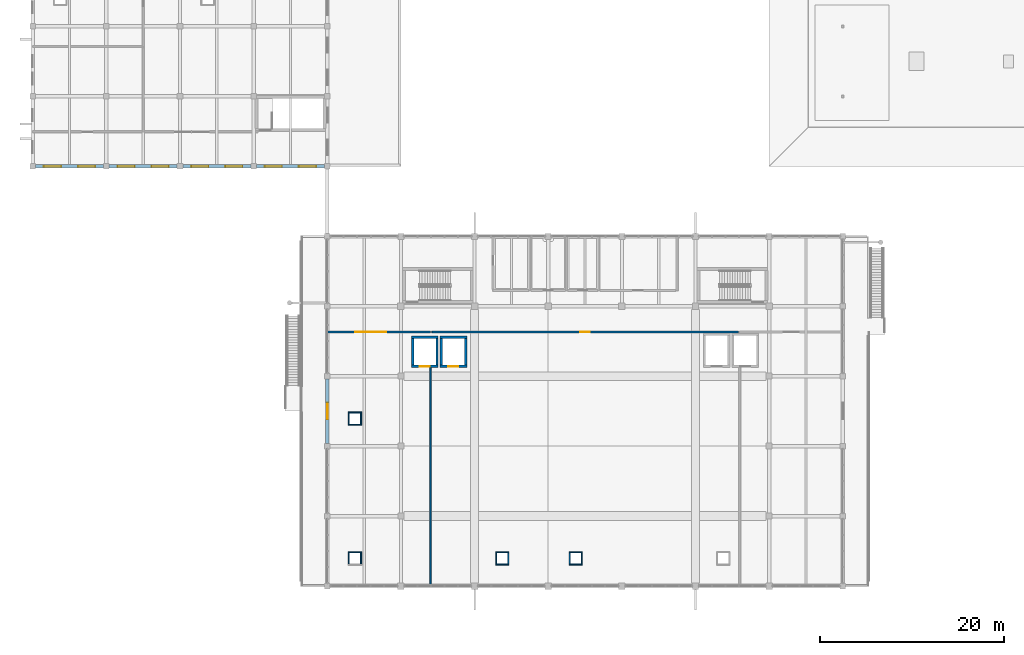
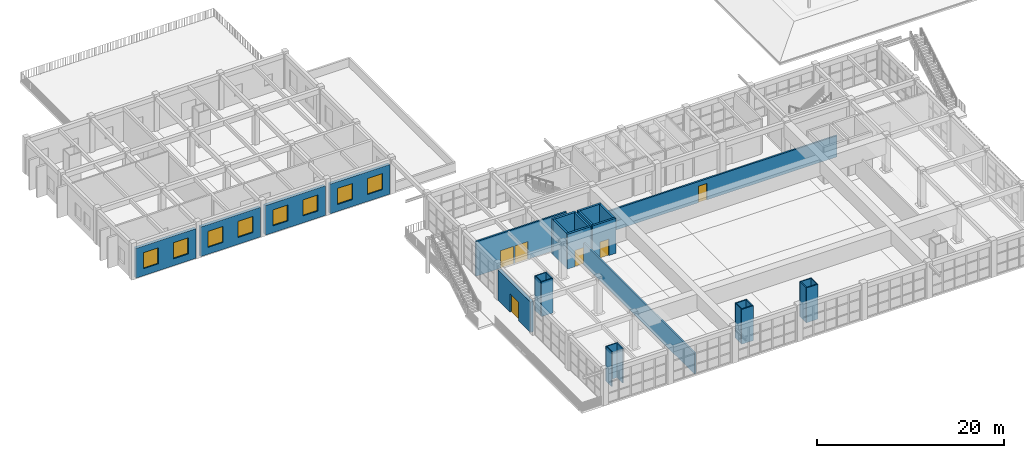
# One storey, part 36 of 50: 31 walls, 8 windows, 6 doors, 14 openings.
"""IFC4 building model written with IfcOpenShell, lengths in metres."""

from ifc_helpers import new_model, si_unit, direction, frame, frame_2d, origin, place, context, subcontext, project, spatial, rectangle, extrude, material, layer, layer_set, type_object, element, fill, save


model = new_model("IFC4")

# Units and contexts
model_context = context("Model", 3, precision=1e-05, world=origin(), true_north=direction((0.0, 1.0)))
body_context = subcontext(model_context, "Body", "Model", "MODEL_VIEW")
ifc_project = project(units=[si_unit("LENGTHUNIT", "METRE"), si_unit("AREAUNIT", "SQUARE_METRE"), si_unit("VOLUMEUNIT", "CUBIC_METRE"), si_unit("PLANEANGLEUNIT", "RADIAN"), si_unit("MASSUNIT", "GRAM", prefix="KILO")], contexts=[model_context])

# Site, building, storey
site_placement = place(None, origin())
site = spatial("IfcSite", under=ifc_project, at=site_placement, CompositionType="ELEMENT")
building_placement = place(site_placement, origin())
building = spatial("IfcBuilding", under=site, at=building_placement, Name="Zantavel Square City Hall", CompositionType="ELEMENT")
storey_placement = place(building_placement, frame((0.0, 0.0, 18.89990234375)))
storey = spatial("IfcBuildingStorey", under=building, at=storey_placement, Name="L05", CompositionType="ELEMENT", Elevation=18.89990234375)

# Wall
ifc_material_1 = material(Name="Gypsum acoustic stud assembly", Category="masonry")
ifc_layer_1 = layer(ifc_material_1, 0.179931640625, Name="Gypsum acoustic stud assembly")
ifc_layer_set_1 = layer_set([ifc_layer_1], Name="Gypsum acoustic stud assembly")
wall_type_1 = type_object("IfcWallType", Name="Council Acoustic Partition 180mm", PredefinedType="PARTITIONING", material=ifc_layer_set_1)
wall_1_placement = place(storey_placement, frame((67.199951171875, 54.1201171875, 0.0), z_axis=(0.0, 0.0, 1.0), x_axis=(0.0, -1.0, 0.0)))
element("IfcWall", 1, at=wall_1_placement, inside=storey, type_object=wall_type_1, Name="L05 Interior Wall IW-L05-0338", PredefinedType="PARTITIONING", context=body_context, shape_type="SweptSolid", body=[
    extrude(rectangle(XDim=23.72021484375, YDim=0.179931640625, at=frame_2d((11.860107421875, 0.0))), origin(), (0.0, 0.0, 1.0), 2.77001953125),
])

# Wall, openings, windows
ifc_material_2 = material(Name="Cantera volcanic tuff stone", Category="masonry")
ifc_layer_2 = layer(ifc_material_2, 0.360107421875, Name="Cantera volcanic tuff stone")
ifc_layer_set_2 = layer_set([ifc_layer_2], Name="Cantera volcanic tuff stone")
wall_type_2 = type_object("IfcWallType", Name="Courtyard Cantera Facade Wall 360mm", PredefinedType="STANDARD", material=ifc_layer_set_2)
wall_2_placement = place(storey_placement, frame((55.699951171875, 76.0, 0.0), z_axis=(0.0, 0.0, 1.0), x_axis=(-1.0, 0.0, 0.0)))
wall_2 = element("IfcWall", 2, at=wall_2_placement, inside=storey, type_object=wall_type_2, Name="L05 Exterior Wall EW-L05-030", PredefinedType="STANDARD", context=body_context, shape_type="SweptSolid", body=[
    extrude(rectangle(XDim=7.39990234375, YDim=0.360107421875, at=frame_2d((3.699951171875, 0.0))), origin(), (0.0, 0.0, 1.0), 3.8701171875),
])
opening_1_placement = place(wall_2_placement, frame((0.925048828125, 0.0, 0.89990234375)))
opening_1 = element("IfcOpeningElement", 3, at=opening_1_placement, cuts=wall_2, Name="Opening W-514", PredefinedType="OPENING", context=body_context, shape_type="SweptSolid", body=[
    extrude(rectangle(XDim=1.85009765625, YDim=2.10009765625, at=frame_2d((0.925048828125, 1.050048828125))), frame((0.0, 0.18994140625, 0.0), z_axis=(0.0, -1.0, 0.0), x_axis=(1.0, 0.0, 0.0)), (0.0, 0.0, 1.0), 0.380126953125),
])
opening_2_placement = place(wall_2_placement, frame((4.625, 0.0, 0.89990234375)))
opening_2 = element("IfcOpeningElement", 4, at=opening_2_placement, cuts=wall_2, Name="Opening W-515", PredefinedType="OPENING", context=body_context, shape_type="SweptSolid", body=[
    extrude(rectangle(XDim=1.85009765625, YDim=2.10009765625, at=frame_2d((0.925048828125, 1.050048828125))), frame((0.0, 0.18994140625, 0.0), z_axis=(0.0, -1.0, 0.0), x_axis=(1.0, 0.0, 0.0)), (0.0, 0.0, 1.0), 0.380126953125),
])
ifc_material_3 = material(Name="Tempered safety glass low-E double glazing", Category="glass")
window_type = type_object("IfcWindowType", Name="Window Dining Hall Panoramic 1850x2100", PartitioningType="TRIPLE_PANEL_VERTICAL", PredefinedType="WINDOW", material=ifc_material_3)
window_1_placement = place(opening_1_placement, origin())
window_1 = element("IfcWindow", 5, at=window_1_placement, inside=storey, type_object=window_type, Name="L05 Window W-514", OverallHeight=2.10009765625, OverallWidth=1.85009765625, PartitioningType="TRIPLE_PANEL_VERTICAL", PredefinedType="WINDOW", context=body_context, shape_type="SweptSolid", body=[
    extrude(rectangle(XDim=1.85009765625, YDim=2.10009765625, at=frame_2d((0.925048828125, 1.050048828125))), frame((0.0, 0.030029296875, 0.0), z_axis=(0.0, -1.0, 0.0), x_axis=(1.0, 0.0, 0.0)), (0.0, 0.0, 1.0), 0.06005859375),
])
fill(opening_1, window_1)
window_2_placement = place(opening_2_placement, origin())
window_2 = element("IfcWindow", 6, at=window_2_placement, inside=storey, type_object=window_type, Name="L05 Window W-515", OverallHeight=2.10009765625, OverallWidth=1.85009765625, PartitioningType="TRIPLE_PANEL_VERTICAL", PredefinedType="WINDOW", context=body_context, shape_type="SweptSolid", body=[
    extrude(rectangle(XDim=1.85009765625, YDim=2.10009765625, at=frame_2d((0.925048828125, 1.050048828125))), frame((0.0, 0.030029296875, 0.0), z_axis=(0.0, -1.0, 0.0), x_axis=(1.0, 0.0, 0.0)), (0.0, 0.0, 1.0), 0.06005859375),
])
fill(opening_2, window_2)

wall_3_placement = place(storey_placement, frame((47.699951171875, 76.0, 0.0), z_axis=(0.0, 0.0, 1.0), x_axis=(-1.0, 0.0, 0.0)))
wall_3 = element("IfcWall", 7, at=wall_3_placement, inside=storey, type_object=wall_type_2, Name="L05 Exterior Wall EW-L05-031", PredefinedType="STANDARD", context=body_context, shape_type="SweptSolid", body=[
    extrude(rectangle(XDim=7.39990234375, YDim=0.360107421875, at=frame_2d((3.699951171875, 0.0))), origin(), (0.0, 0.0, 1.0), 3.8701171875),
])
opening_3_placement = place(wall_3_placement, frame((0.925048828125, 0.0, 0.89990234375)))
opening_3 = element("IfcOpeningElement", 8, at=opening_3_placement, cuts=wall_3, Name="Opening W-516", PredefinedType="OPENING", context=body_context, shape_type="SweptSolid", body=[
    extrude(rectangle(XDim=1.85009765625, YDim=2.10009765625, at=frame_2d((0.925048828125, 1.050048828125))), frame((0.0, 0.18994140625, 0.0), z_axis=(0.0, -1.0, 0.0), x_axis=(1.0, 0.0, 0.0)), (0.0, 0.0, 1.0), 0.380126953125),
])
opening_4_placement = place(wall_3_placement, frame((4.625, 0.0, 0.89990234375)))
opening_4 = element("IfcOpeningElement", 9, at=opening_4_placement, cuts=wall_3, Name="Opening W-517", PredefinedType="OPENING", context=body_context, shape_type="SweptSolid", body=[
    extrude(rectangle(XDim=1.85009765625, YDim=2.10009765625, at=frame_2d((0.925048828125, 1.050048828125))), frame((0.0, 0.18994140625, 0.0), z_axis=(0.0, -1.0, 0.0), x_axis=(1.0, 0.0, 0.0)), (0.0, 0.0, 1.0), 0.380126953125),
])
window_3_placement = place(opening_3_placement, origin())
window_3 = element("IfcWindow", 10, at=window_3_placement, inside=storey, type_object=window_type, Name="L05 Window W-516", OverallHeight=2.10009765625, OverallWidth=1.85009765625, PartitioningType="TRIPLE_PANEL_VERTICAL", PredefinedType="WINDOW", context=body_context, shape_type="SweptSolid", body=[
    extrude(rectangle(XDim=1.85009765625, YDim=2.10009765625, at=frame_2d((0.925048828125, 1.050048828125))), frame((0.0, 0.030029296875, 0.0), z_axis=(0.0, -1.0, 0.0), x_axis=(1.0, 0.0, 0.0)), (0.0, 0.0, 1.0), 0.06005859375),
])
fill(opening_3, window_3)
window_4_placement = place(opening_4_placement, origin())
window_4 = element("IfcWindow", 11, at=window_4_placement, inside=storey, type_object=window_type, Name="L05 Window W-517", OverallHeight=2.10009765625, OverallWidth=1.85009765625, PartitioningType="TRIPLE_PANEL_VERTICAL", PredefinedType="WINDOW", context=body_context, shape_type="SweptSolid", body=[
    extrude(rectangle(XDim=1.85009765625, YDim=2.10009765625, at=frame_2d((0.925048828125, 1.050048828125))), frame((0.0, 0.030029296875, 0.0), z_axis=(0.0, -1.0, 0.0), x_axis=(1.0, 0.0, 0.0)), (0.0, 0.0, 1.0), 0.06005859375),
])
fill(opening_4, window_4)

wall_4_placement = place(storey_placement, frame((39.699951171875, 76.0, 0.0), z_axis=(0.0, 0.0, 1.0), x_axis=(-1.0, 0.0, 0.0)))
wall_4 = element("IfcWall", 12, at=wall_4_placement, inside=storey, type_object=wall_type_2, Name="L05 Exterior Wall EW-L05-032", PredefinedType="STANDARD", context=body_context, shape_type="SweptSolid", body=[
    extrude(rectangle(XDim=7.39990234375, YDim=0.360107421875, at=frame_2d((3.699951171875, 0.0))), origin(), (0.0, 0.0, 1.0), 3.8701171875),
])
opening_5_placement = place(wall_4_placement, frame((0.925048828125, 0.0, 0.89990234375)))
opening_5 = element("IfcOpeningElement", 13, at=opening_5_placement, cuts=wall_4, Name="Opening W-518", PredefinedType="OPENING", context=body_context, shape_type="SweptSolid", body=[
    extrude(rectangle(XDim=1.85009765625, YDim=2.10009765625, at=frame_2d((0.925048828125, 1.050048828125))), frame((0.0, 0.18994140625, 0.0), z_axis=(0.0, -1.0, 0.0), x_axis=(1.0, 0.0, 0.0)), (0.0, 0.0, 1.0), 0.380126953125),
])
opening_6_placement = place(wall_4_placement, frame((4.625, 0.0, 0.89990234375)))
opening_6 = element("IfcOpeningElement", 14, at=opening_6_placement, cuts=wall_4, Name="Opening W-519", PredefinedType="OPENING", context=body_context, shape_type="SweptSolid", body=[
    extrude(rectangle(XDim=1.85009765625, YDim=2.10009765625, at=frame_2d((0.925048828125, 1.050048828125))), frame((0.0, 0.18994140625, 0.0), z_axis=(0.0, -1.0, 0.0), x_axis=(1.0, 0.0, 0.0)), (0.0, 0.0, 1.0), 0.380126953125),
])
window_5_placement = place(opening_5_placement, origin())
window_5 = element("IfcWindow", 15, at=window_5_placement, inside=storey, type_object=window_type, Name="L05 Window W-518", OverallHeight=2.10009765625, OverallWidth=1.85009765625, PartitioningType="TRIPLE_PANEL_VERTICAL", PredefinedType="WINDOW", context=body_context, shape_type="SweptSolid", body=[
    extrude(rectangle(XDim=1.85009765625, YDim=2.10009765625, at=frame_2d((0.925048828125, 1.050048828125))), frame((0.0, 0.030029296875, 0.0), z_axis=(0.0, -1.0, 0.0), x_axis=(1.0, 0.0, 0.0)), (0.0, 0.0, 1.0), 0.06005859375),
])
fill(opening_5, window_5)
window_6_placement = place(opening_6_placement, origin())
window_6 = element("IfcWindow", 16, at=window_6_placement, inside=storey, type_object=window_type, Name="L05 Window W-519", OverallHeight=2.10009765625, OverallWidth=1.85009765625, PartitioningType="TRIPLE_PANEL_VERTICAL", PredefinedType="WINDOW", context=body_context, shape_type="SweptSolid", body=[
    extrude(rectangle(XDim=1.85009765625, YDim=2.10009765625, at=frame_2d((0.925048828125, 1.050048828125))), frame((0.0, 0.030029296875, 0.0), z_axis=(0.0, -1.0, 0.0), x_axis=(1.0, 0.0, 0.0)), (0.0, 0.0, 1.0), 0.06005859375),
])
fill(opening_6, window_6)

wall_5_placement = place(storey_placement, frame((31.699951171875, 76.0, 0.0), z_axis=(0.0, 0.0, 1.0), x_axis=(-1.0, 0.0, 0.0)))
wall_5 = element("IfcWall", 17, at=wall_5_placement, inside=storey, type_object=wall_type_2, Name="L05 Exterior Wall EW-L05-033", PredefinedType="STANDARD", context=body_context, shape_type="SweptSolid", body=[
    extrude(rectangle(XDim=7.39990234375, YDim=0.360107421875, at=frame_2d((3.699951171875, 0.0))), origin(), (0.0, 0.0, 1.0), 3.8701171875),
])
opening_7_placement = place(wall_5_placement, frame((0.925048828125, 0.0, 0.89990234375)))
opening_7 = element("IfcOpeningElement", 18, at=opening_7_placement, cuts=wall_5, Name="Opening W-520", PredefinedType="OPENING", context=body_context, shape_type="SweptSolid", body=[
    extrude(rectangle(XDim=1.85009765625, YDim=2.10009765625, at=frame_2d((0.925048828125, 1.050048828125))), frame((0.0, 0.18994140625, 0.0), z_axis=(0.0, -1.0, 0.0), x_axis=(1.0, 0.0, 0.0)), (0.0, 0.0, 1.0), 0.380126953125),
])
opening_8_placement = place(wall_5_placement, frame((4.625, 0.0, 0.89990234375)))
opening_8 = element("IfcOpeningElement", 19, at=opening_8_placement, cuts=wall_5, Name="Opening W-521", PredefinedType="OPENING", context=body_context, shape_type="SweptSolid", body=[
    extrude(rectangle(XDim=1.85009765625, YDim=2.10009765625, at=frame_2d((0.925048828125, 1.050048828125))), frame((0.0, 0.18994140625, 0.0), z_axis=(0.0, -1.0, 0.0), x_axis=(1.0, 0.0, 0.0)), (0.0, 0.0, 1.0), 0.380126953125),
])
window_7_placement = place(opening_7_placement, origin())
window_7 = element("IfcWindow", 20, at=window_7_placement, inside=storey, type_object=window_type, Name="L05 Window W-520", OverallHeight=2.10009765625, OverallWidth=1.85009765625, PartitioningType="TRIPLE_PANEL_VERTICAL", PredefinedType="WINDOW", context=body_context, shape_type="SweptSolid", body=[
    extrude(rectangle(XDim=1.85009765625, YDim=2.10009765625, at=frame_2d((0.925048828125, 1.050048828125))), frame((0.0, 0.030029296875, 0.0), z_axis=(0.0, -1.0, 0.0), x_axis=(1.0, 0.0, 0.0)), (0.0, 0.0, 1.0), 0.06005859375),
])
fill(opening_7, window_7)
window_8_placement = place(opening_8_placement, origin())
window_8 = element("IfcWindow", 21, at=window_8_placement, inside=storey, type_object=window_type, Name="L05 Window W-521", OverallHeight=2.10009765625, OverallWidth=1.85009765625, PartitioningType="TRIPLE_PANEL_VERTICAL", PredefinedType="WINDOW", context=body_context, shape_type="SweptSolid", body=[
    extrude(rectangle(XDim=1.85009765625, YDim=2.10009765625, at=frame_2d((0.925048828125, 1.050048828125))), frame((0.0, 0.030029296875, 0.0), z_axis=(0.0, -1.0, 0.0), x_axis=(1.0, 0.0, 0.0)), (0.0, 0.0, 1.0), 0.06005859375),
])
fill(opening_8, window_8)

# Wall, openings, doors
ifc_layer_3 = layer(ifc_material_2, 0.199951171875, Name="Cantera volcanic tuff stone")
ifc_layer_set_3 = layer_set([ifc_layer_3], Name="Cantera volcanic tuff stone")
wall_type_3 = type_object("IfcWallType", Name="Exit Corridor Rated Wall 200mm", PredefinedType="STANDARD", material=ifc_layer_set_3)
wall_6_placement = place(storey_placement, frame((56.0, 58.0, 0.0), z_axis=(0.0, 0.0, 1.0), x_axis=(1.0, 0.0, 0.0)))
wall_6 = element("IfcWall", 22, at=wall_6_placement, inside=storey, type_object=wall_type_3, Name="L05 Interior Wall IW-L05-0339", PredefinedType="STANDARD", context=body_context, shape_type="SweptSolid", body=[
    extrude(rectangle(XDim=11.199951171875, YDim=0.199951171875, at=frame_2d((5.60009765625, 0.0))), origin(), (0.0, 0.0, 1.0), 4.52001953125),
])
opening_9_placement = place(wall_6_placement, frame((4.800048828125, 0.0, 0.0)))
opening_9 = element("IfcOpeningElement", 23, at=opening_9_placement, cuts=wall_6, Name="Opening D-0162", PredefinedType="OPENING", context=body_context, shape_type="SweptSolid", body=[
    extrude(rectangle(XDim=1.60009765625, YDim=2.300048828125, at=frame_2d((0.800048828125, 1.14990234375))), frame((0.0, 0.10986328125, 0.0), z_axis=(0.0, -1.0, 0.0), x_axis=(1.0, 0.0, 0.0)), (0.0, 0.0, 1.0), 0.219970703125),
])
opening_10_placement = place(wall_6_placement, frame((3.050048828125, 0.0, 0.0)))
opening_10 = element("IfcOpeningElement", 24, at=opening_10_placement, cuts=wall_6, Name="Opening D-0168", PredefinedType="OPENING", context=body_context, shape_type="SweptSolid", body=[
    extrude(rectangle(XDim=1.60009765625, YDim=2.300048828125, at=frame_2d((0.800048828125, 1.14990234375))), frame((0.0, 0.10986328125, 0.0), z_axis=(0.0, -1.0, 0.0), x_axis=(1.0, 0.0, 0.0)), (0.0, 0.0, 1.0), 0.219970703125),
])
ifc_material_4 = material(Name="Solid oak hardwood", Category="wood")
door_type_1 = type_object("IfcDoorType", Name="Committee Suite Fire Double Door 1600x2300 FD60S", OperationType="NOTDEFINED", PredefinedType="DOOR", material=ifc_material_4)
door_1_placement = place(opening_9_placement, origin())
door_1 = element("IfcDoor", 25, at=door_1_placement, inside=storey, type_object=door_type_1, Name="L05 Council Deliberation Lounge West Door", OperationType="DOUBLE_DOOR_SINGLE_SWING", OverallHeight=2.300048828125, OverallWidth=1.60009765625, PredefinedType="DOOR", context=body_context, shape_type="SweptSolid", body=[
    extrude(rectangle(XDim=1.60009765625, YDim=2.300048828125, at=frame_2d((0.800048828125, 1.14990234375))), frame((0.0, 0.02490234375, 0.0), z_axis=(0.0, -1.0, 0.0), x_axis=(1.0, 0.0, 0.0)), (0.0, 0.0, 1.0), 0.050048828125),
])
fill(opening_9, door_1)
door_2_placement = place(opening_10_placement, origin())
door_2 = element("IfcDoor", 26, at=door_2_placement, inside=storey, type_object=door_type_1, Name="L05 Council Deliberation Lounge West Door", OperationType="DOUBLE_DOOR_SINGLE_SWING", OverallHeight=2.300048828125, OverallWidth=1.60009765625, PredefinedType="DOOR", context=body_context, shape_type="SweptSolid", body=[
    extrude(rectangle(XDim=1.60009765625, YDim=2.300048828125, at=frame_2d((0.800048828125, 1.14990234375))), frame((0.0, 0.02490234375, 0.0), z_axis=(0.0, -1.0, 0.0), x_axis=(1.0, 0.0, 0.0)), (0.0, 0.0, 1.0), 0.050048828125),
])
fill(opening_10, door_2)

# Wall, opening, door
wall_7_placement = place(storey_placement, frame((67.35009765625, 58.0, 0.0), z_axis=(0.0, 0.0, 1.0), x_axis=(1.0, 0.0, 0.0)))
wall_7 = element("IfcWall", 27, at=wall_7_placement, inside=storey, type_object=wall_type_3, Name="L05 Interior Wall IW-L05-0349", PredefinedType="STANDARD", context=body_context, shape_type="SweptSolid", body=[
    extrude(rectangle(XDim=33.2998046875, YDim=0.199951171875, at=frame_2d((16.64990234375, 0.0))), origin(), (0.0, 0.0, 1.0), 2.77001953125),
])
opening_11_placement = place(wall_7_placement, frame((16.125, 0.0, 0.0)))
opening_11 = element("IfcOpeningElement", 28, at=opening_11_placement, cuts=wall_7, Name="Opening D-0167", PredefinedType="OPENING", context=body_context, shape_type="SweptSolid", body=[
    extrude(rectangle(XDim=1.050048828125, YDim=2.14990234375, at=frame_2d((0.52490234375, 1.074951171875))), frame((0.0, 0.10986328125, 0.0), z_axis=(0.0, -1.0, 0.0), x_axis=(1.0, 0.0, 0.0)), (0.0, 0.0, 1.0), 0.219970703125),
])
door_type_2 = type_object("IfcDoorType", Name="Corridor Office Oak Fire Door 1050x2150 FD60S", OperationType="NOTDEFINED", PredefinedType="DOOR", material=ifc_material_4)
door_3_placement = place(opening_11_placement, origin())
door_3 = element("IfcDoor", 29, at=door_3_placement, inside=storey, type_object=door_type_2, Name="L05 Council Chamber Door", OperationType="SINGLE_SWING_LEFT", OverallHeight=2.14990234375, OverallWidth=1.050048828125, PredefinedType="DOOR", context=body_context, shape_type="SweptSolid", body=[
    extrude(rectangle(XDim=1.050048828125, YDim=2.14990234375, at=frame_2d((0.52490234375, 1.074951171875))), frame((0.0, 0.02490234375, 0.0), z_axis=(0.0, -1.0, 0.0), x_axis=(1.0, 0.0, 0.0)), (0.0, 0.0, 1.0), 0.050048828125),
])
fill(opening_11, door_3)

ifc_material_5 = material(Name="Concrete C40/50", Category="concrete")
ifc_layer_4 = layer(ifc_material_5, 0.25, Name="Concrete C40/50")
ifc_layer_set_4 = layer_set([ifc_layer_4], Name="Concrete C40/50")
wall_type_4 = type_object("IfcWallType", Name="Lift Shaft Wall RC 250mm C40/50", PredefinedType="SHEAR", material=ifc_layer_set_4)
wall_8_placement = place(storey_placement, frame((68.050048828125, 54.27490234375, 0.0), z_axis=(0.0, 0.0, 1.0), x_axis=(-1.0, 0.0, 0.0)))
wall_8 = element("IfcWall", 30, at=wall_8_placement, inside=storey, type_object=wall_type_4, Name="L05 Lift LF01 Shaft Wall South", PredefinedType="SHEAR", context=body_context, shape_type="SweptSolid", body=[
    extrude(rectangle(XDim=2.900146484375, YDim=0.25, at=frame_2d((1.4501953125, 0.0))), origin(), (0.0, 0.0, 1.0), 4.570068359375),
])
opening_12_placement = place(wall_8_placement, frame((0.89990234375, 0.0, 0.0)))
opening_12 = element("IfcOpeningElement", 31, at=opening_12_placement, cuts=wall_8, Name="Opening LD-LF01-L05", PredefinedType="OPENING", context=body_context, shape_type="SweptSolid", body=[
    extrude(rectangle(XDim=1.10009765625, YDim=2.14990234375, at=frame_2d((0.550048828125, 1.074951171875))), frame((0.0, 0.135009765625, 0.0), z_axis=(0.0, -1.0, 0.0), x_axis=(1.0, 0.0, 0.0)), (0.0, 0.0, 1.0), 0.27001953125),
])
ifc_material_6 = material(Name="Stainless steel 316", Category="steel")
door_type_3 = type_object("IfcDoorType", Name="Lift Landing Sliding Door 1100x2150 FD90S", OperationType="NOTDEFINED", PredefinedType="DOOR", material=ifc_material_6)
door_4_placement = place(opening_12_placement, origin())
door_4 = element("IfcDoor", 32, at=door_4_placement, inside=storey, type_object=door_type_3, Name="L05 Lift LF01 Sliding Landing Door", OperationType="DOUBLE_DOOR_SLIDING", OverallHeight=2.14990234375, OverallWidth=1.10009765625, PredefinedType="DOOR", context=body_context, shape_type="SweptSolid", body=[
    extrude(rectangle(XDim=1.10009765625, YDim=2.14990234375, at=frame_2d((0.550048828125, 1.074951171875))), frame((0.0, 0.02490234375, 0.0), z_axis=(0.0, -1.0, 0.0), x_axis=(1.0, 0.0, 0.0)), (0.0, 0.0, 1.0), 0.050048828125),
])
fill(opening_12, door_4)

# Walls
for number, where, z_axis, x_axis, name in (
    (33, (65.27490234375, 54.39990234375, 0.0), (0.0, 0.0, 1.0), (0.0, 1.0, 0.0), "L05 Lift LF01 Shaft Wall West"),
    (34, (65.14990234375, 57.425048828125, 0.0), (0.0, 0.0, 1.0), (1.0, 0.0, 0.0), "L05 Lift LF01 Shaft Wall North"),
    (35, (67.925048828125, 57.300048828125, 0.0), (0.0, 0.0, 1.0), (0.0, -1.0, 0.0), "L05 Lift LF01 Shaft Wall East"),
):
    element("IfcWall", number, at=place(storey_placement, frame(where, z_axis=z_axis, x_axis=x_axis)), inside=storey, type_object=wall_type_4, Name=name, PredefinedType="SHEAR", context=body_context, shape_type="SweptSolid", body=[
        extrude(rectangle(XDim=2.900146484375, YDim=0.25, at=frame_2d((1.4501953125, 0.0))), origin(), (0.0, 0.0, 1.0), 4.570068359375),
    ])

# Wall, opening, door
wall_9_placement = place(storey_placement, frame((71.14990234375, 54.27490234375, 0.0), z_axis=(0.0, 0.0, 1.0), x_axis=(-1.0, 0.0, 0.0)))
wall_9 = element("IfcWall", 36, at=wall_9_placement, inside=storey, type_object=wall_type_4, Name="L05 Lift LF02 Shaft Wall South", PredefinedType="SHEAR", context=body_context, shape_type="SweptSolid", body=[
    extrude(rectangle(XDim=2.89990234375, YDim=0.25, at=frame_2d((1.449951171875, 0.0))), origin(), (0.0, 0.0, 1.0), 4.570068359375),
])
opening_13_placement = place(wall_9_placement, frame((0.89990234375, 0.0, 0.0)))
opening_13 = element("IfcOpeningElement", 37, at=opening_13_placement, cuts=wall_9, Name="Opening LD-LF02-L05", PredefinedType="OPENING", context=body_context, shape_type="SweptSolid", body=[
    extrude(rectangle(XDim=1.10009765625, YDim=2.14990234375, at=frame_2d((0.550048828125, 1.074951171875))), frame((0.0, 0.135009765625, 0.0), z_axis=(0.0, -1.0, 0.0), x_axis=(1.0, 0.0, 0.0)), (0.0, 0.0, 1.0), 0.27001953125),
])
door_5_placement = place(opening_13_placement, origin())
door_5 = element("IfcDoor", 38, at=door_5_placement, inside=storey, type_object=door_type_3, Name="L05 Lift LF02 Sliding Landing Door", OperationType="DOUBLE_DOOR_SLIDING", OverallHeight=2.14990234375, OverallWidth=1.10009765625, PredefinedType="DOOR", context=body_context, shape_type="SweptSolid", body=[
    extrude(rectangle(XDim=1.10009765625, YDim=2.14990234375, at=frame_2d((0.550048828125, 1.074951171875))), frame((0.0, 0.02490234375, 0.0), z_axis=(0.0, -1.0, 0.0), x_axis=(1.0, 0.0, 0.0)), (0.0, 0.0, 1.0), 0.050048828125),
])
fill(opening_13, door_5)

# Walls
wall_10_placement = place(storey_placement, frame((68.375, 54.39990234375, 0.0), z_axis=(0.0, 0.0, 1.0), x_axis=(0.0, 1.0, 0.0)))
element("IfcWall", 39, at=wall_10_placement, inside=storey, type_object=wall_type_4, Name="L05 Lift LF02 Shaft Wall West", PredefinedType="SHEAR", context=body_context, shape_type="SweptSolid", body=[
    extrude(rectangle(XDim=2.900146484375, YDim=0.25, at=frame_2d((1.4501953125, 0.0))), origin(), (0.0, 0.0, 1.0), 4.570068359375),
])
wall_11_placement = place(storey_placement, frame((68.25, 57.425048828125, 0.0), z_axis=(0.0, 0.0, 1.0), x_axis=(1.0, 0.0, 0.0)))
element("IfcWall", 40, at=wall_11_placement, inside=storey, type_object=wall_type_4, Name="L05 Lift LF02 Shaft Wall North", PredefinedType="SHEAR", context=body_context, shape_type="SweptSolid", body=[
    extrude(rectangle(XDim=2.89990234375, YDim=0.25, at=frame_2d((1.449951171875, 0.0))), origin(), (0.0, 0.0, 1.0), 4.570068359375),
])
wall_12_placement = place(storey_placement, frame((71.02490234375, 57.300048828125, 0.0), z_axis=(0.0, 0.0, 1.0), x_axis=(0.0, -1.0, 0.0)))
element("IfcWall", 41, at=wall_12_placement, inside=storey, type_object=wall_type_4, Name="L05 Lift LF02 Shaft Wall East", PredefinedType="SHEAR", context=body_context, shape_type="SweptSolid", body=[
    extrude(rectangle(XDim=2.900146484375, YDim=0.25, at=frame_2d((1.4501953125, 0.0))), origin(), (0.0, 0.0, 1.0), 4.570068359375),
])
ifc_material_7 = material(Name="Concrete C35/45", Category="concrete")
ifc_layer_5 = layer(ifc_material_7, 0.1201171875, Name="Concrete C35/45")
ifc_layer_set_5 = layer_set([ifc_layer_5], Name="Concrete C35/45")
wall_type_5 = type_object("IfcWallType", Name="Riser Chase Wall RC 120mm C35/45", PredefinedType="PARTITIONING", material=ifc_layer_set_5)
wall_13_placement = place(storey_placement, frame((58.340087890625, 32.800048828125, 0.0), z_axis=(0.0, 0.0, 1.0), x_axis=(0.0, 1.0, 0.0)))
element("IfcWall", 42, at=wall_13_placement, inside=storey, type_object=wall_type_5, Name="L05 MEP Riser 01 Wall W", PredefinedType="PARTITIONING", context=body_context, shape_type="SweptSolid", body=[
    extrude(rectangle(XDim=1.199951171875, YDim=0.1201171875, at=frame_2d((0.60009765625, 0.0))), origin(), (0.0, 0.0, 1.0), 4.52001953125),
])
wall_14_placement = place(storey_placement, frame((58.280029296875, 34.06005859375, 0.0), z_axis=(0.0, 0.0, 1.0), x_axis=(1.0, 0.0, 0.0)))
element("IfcWall", 43, at=wall_14_placement, inside=storey, type_object=wall_type_5, Name="L05 MEP Riser 01 Wall N", PredefinedType="PARTITIONING", context=body_context, shape_type="SweptSolid", body=[
    extrude(rectangle(XDim=1.43994140625, YDim=0.1201171875, at=frame_2d((0.719970703125, 0.0))), origin(), (0.0, 0.0, 1.0), 4.52001953125),
])
wall_15_placement = place(storey_placement, frame((59.659912109375, 34.0, 0.0), z_axis=(0.0, 0.0, 1.0), x_axis=(0.0, -1.0, 0.0)))
element("IfcWall", 44, at=wall_15_placement, inside=storey, type_object=wall_type_5, Name="L05 MEP Riser 01 Wall E", PredefinedType="PARTITIONING", context=body_context, shape_type="SweptSolid", body=[
    extrude(rectangle(XDim=1.199951171875, YDim=0.1201171875, at=frame_2d((0.60009765625, 0.0))), origin(), (0.0, 0.0, 1.0), 4.52001953125),
])
wall_16_placement = place(storey_placement, frame((75.719970703125, 32.739990234375, 0.0), z_axis=(0.0, 0.0, 1.0), x_axis=(-1.0, 0.0, 0.0)))
element("IfcWall", 45, at=wall_16_placement, inside=storey, type_object=wall_type_5, Name="L05 MEP Riser 02 Wall S", PredefinedType="PARTITIONING", context=body_context, shape_type="SweptSolid", body=[
    extrude(rectangle(XDim=1.43994140625, YDim=0.1201171875, at=frame_2d((0.719970703125, 0.0))), origin(), (0.0, 0.0, 1.0), 4.570068359375),
])
wall_17_placement = place(storey_placement, frame((74.340087890625, 32.800048828125, 0.0), z_axis=(0.0, 0.0, 1.0), x_axis=(0.0, 1.0, 0.0)))
element("IfcWall", 46, at=wall_17_placement, inside=storey, type_object=wall_type_5, Name="L05 MEP Riser 02 Wall W", PredefinedType="PARTITIONING", context=body_context, shape_type="SweptSolid", body=[
    extrude(rectangle(XDim=1.199951171875, YDim=0.1201171875, at=frame_2d((0.60009765625, 0.0))), origin(), (0.0, 0.0, 1.0), 4.570068359375),
])
wall_18_placement = place(storey_placement, frame((74.280029296875, 34.06005859375, 0.0), z_axis=(0.0, 0.0, 1.0), x_axis=(1.0, 0.0, 0.0)))
element("IfcWall", 47, at=wall_18_placement, inside=storey, type_object=wall_type_5, Name="L05 MEP Riser 02 Wall N", PredefinedType="PARTITIONING", context=body_context, shape_type="SweptSolid", body=[
    extrude(rectangle(XDim=1.43994140625, YDim=0.1201171875, at=frame_2d((0.719970703125, 0.0))), origin(), (0.0, 0.0, 1.0), 4.570068359375),
])
wall_19_placement = place(storey_placement, frame((75.659912109375, 34.0, 0.0), z_axis=(0.0, 0.0, 1.0), x_axis=(0.0, -1.0, 0.0)))
element("IfcWall", 48, at=wall_19_placement, inside=storey, type_object=wall_type_5, Name="L05 MEP Riser 02 Wall E", PredefinedType="PARTITIONING", context=body_context, shape_type="SweptSolid", body=[
    extrude(rectangle(XDim=1.199951171875, YDim=0.1201171875, at=frame_2d((0.60009765625, 0.0))), origin(), (0.0, 0.0, 1.0), 4.570068359375),
])
wall_20_placement = place(storey_placement, frame((83.719970703125, 32.739990234375, 0.0), z_axis=(0.0, 0.0, 1.0), x_axis=(-1.0, 0.0, 0.0)))
element("IfcWall", 49, at=wall_20_placement, inside=storey, type_object=wall_type_5, Name="L05 MEP Riser 03 Wall S", PredefinedType="PARTITIONING", context=body_context, shape_type="SweptSolid", body=[
    extrude(rectangle(XDim=1.43994140625, YDim=0.1201171875, at=frame_2d((0.719970703125, 0.0))), origin(), (0.0, 0.0, 1.0), 4.570068359375),
])
wall_21_placement = place(storey_placement, frame((82.340087890625, 32.800048828125, 0.0), z_axis=(0.0, 0.0, 1.0), x_axis=(0.0, 1.0, 0.0)))
element("IfcWall", 50, at=wall_21_placement, inside=storey, type_object=wall_type_5, Name="L05 MEP Riser 03 Wall W", PredefinedType="PARTITIONING", context=body_context, shape_type="SweptSolid", body=[
    extrude(rectangle(XDim=1.199951171875, YDim=0.1201171875, at=frame_2d((0.60009765625, 0.0))), origin(), (0.0, 0.0, 1.0), 4.570068359375),
])
wall_22_placement = place(storey_placement, frame((82.280029296875, 34.06005859375, 0.0), z_axis=(0.0, 0.0, 1.0), x_axis=(1.0, 0.0, 0.0)))
element("IfcWall", 51, at=wall_22_placement, inside=storey, type_object=wall_type_5, Name="L05 MEP Riser 03 Wall N", PredefinedType="PARTITIONING", context=body_context, shape_type="SweptSolid", body=[
    extrude(rectangle(XDim=1.43994140625, YDim=0.1201171875, at=frame_2d((0.719970703125, 0.0))), origin(), (0.0, 0.0, 1.0), 4.570068359375),
])
wall_23_placement = place(storey_placement, frame((83.659912109375, 34.0, 0.0), z_axis=(0.0, 0.0, 1.0), x_axis=(0.0, -1.0, 0.0)))
element("IfcWall", 52, at=wall_23_placement, inside=storey, type_object=wall_type_5, Name="L05 MEP Riser 03 Wall E", PredefinedType="PARTITIONING", context=body_context, shape_type="SweptSolid", body=[
    extrude(rectangle(XDim=1.199951171875, YDim=0.1201171875, at=frame_2d((0.60009765625, 0.0))), origin(), (0.0, 0.0, 1.0), 4.570068359375),
])
wall_24_placement = place(storey_placement, frame((59.719970703125, 47.93994140625, 0.0), z_axis=(0.0, 0.0, 1.0), x_axis=(-1.0, 0.0, 0.0)))
element("IfcWall", 53, at=wall_24_placement, inside=storey, type_object=wall_type_5, Name="L05 MEP Riser 05 Wall S", PredefinedType="PARTITIONING", context=body_context, shape_type="SweptSolid", body=[
    extrude(rectangle(XDim=1.43994140625, YDim=0.1201171875, at=frame_2d((0.719970703125, 0.0))), origin(), (0.0, 0.0, 1.0), 4.52001953125),
])
wall_25_placement = place(storey_placement, frame((58.340087890625, 48.0, 0.0), z_axis=(0.0, 0.0, 1.0), x_axis=(0.0, 1.0, 0.0)))
element("IfcWall", 54, at=wall_25_placement, inside=storey, type_object=wall_type_5, Name="L05 MEP Riser 05 Wall W", PredefinedType="PARTITIONING", context=body_context, shape_type="SweptSolid", body=[
    extrude(rectangle(XDim=1.199951171875, YDim=0.1201171875, at=frame_2d((0.60009765625, 0.0))), origin(), (0.0, 0.0, 1.0), 4.52001953125),
])
wall_26_placement = place(storey_placement, frame((58.280029296875, 49.260009765625, 0.0), z_axis=(0.0, 0.0, 1.0), x_axis=(1.0, 0.0, 0.0)))
element("IfcWall", 55, at=wall_26_placement, inside=storey, type_object=wall_type_5, Name="L05 MEP Riser 05 Wall N", PredefinedType="PARTITIONING", context=body_context, shape_type="SweptSolid", body=[
    extrude(rectangle(XDim=1.43994140625, YDim=0.1201171875, at=frame_2d((0.719970703125, 0.0))), origin(), (0.0, 0.0, 1.0), 4.52001953125),
])
wall_27_placement = place(storey_placement, frame((59.659912109375, 49.199951171875, 0.0), z_axis=(0.0, 0.0, 1.0), x_axis=(0.0, -1.0, 0.0)))
element("IfcWall", 56, at=wall_27_placement, inside=storey, type_object=wall_type_5, Name="L05 MEP Riser 05 Wall E", PredefinedType="PARTITIONING", context=body_context, shape_type="SweptSolid", body=[
    extrude(rectangle(XDim=1.199951171875, YDim=0.1201171875, at=frame_2d((0.60009765625, 0.0))), origin(), (0.0, 0.0, 1.0), 4.52001953125),
])

# Wall, opening, door
ifc_material_8 = material(Name="White cantera volcanic tuff stone", Category="masonry")
ifc_layer_6 = layer(ifc_material_8, 0.3798828125, Name="White cantera volcanic tuff stone")
ifc_layer_set_6 = layer_set([ifc_layer_6], Name="White cantera volcanic tuff stone")
wall_type_6 = type_object("IfcWallType", Name="White Cantera Tray Facade Wall 380mm", PredefinedType="STANDARD", material=ifc_layer_set_6)
wall_28_placement = place(storey_placement, frame((56.0, 45.89990234375, 0.0), z_axis=(0.0, 0.0, 1.0), x_axis=(0.0, 1.0, 0.0)))
wall_28 = element("IfcWall", 57, at=wall_28_placement, inside=storey, type_object=wall_type_6, Name="L05 Exterior Wall EW-L05-022", PredefinedType="STANDARD", context=body_context, shape_type="SweptSolid", body=[
    extrude(rectangle(XDim=7.0, YDim=0.3798828125, at=frame_2d((3.5, 0.0))), origin(), (0.0, 0.0, 1.0), 3.97021484375),
])
opening_14_placement = place(wall_28_placement, frame((2.60009765625, 0.0, 0.0)))
opening_14 = element("IfcOpeningElement", 58, at=opening_14_placement, cuts=wall_28, Name="Opening ED-033", PredefinedType="OPENING", context=body_context, shape_type="SweptSolid", body=[
    extrude(rectangle(XDim=1.800048828125, YDim=2.39990234375, at=frame_2d((0.89990234375, 1.199951171875))), frame((0.0, 0.199951171875, 0.0), z_axis=(0.0, -1.0, 0.0), x_axis=(1.0, 0.0, 0.0)), (0.0, 0.0, 1.0), 0.39990234375),
])
ifc_material_9 = material(Name="Anodised aluminium 6063-T6", Category="aluminium")
door_type_4 = type_object("IfcDoorType", Name="Tray Terrace Glazed Double Door 1800x2400", OperationType="NOTDEFINED", PredefinedType="DOOR", material=ifc_material_9)
door_6_placement = place(opening_14_placement, origin())
door_6 = element("IfcDoor", 59, at=door_6_placement, inside=storey, type_object=door_type_4, Name="L05 West Council Tray Terrace Door", OperationType="DOUBLE_DOOR_SINGLE_SWING", OverallHeight=2.39990234375, OverallWidth=1.800048828125, PredefinedType="DOOR", context=body_context, shape_type="SweptSolid", body=[
    extrude(rectangle(XDim=1.800048828125, YDim=2.39990234375, at=frame_2d((0.89990234375, 1.199951171875))), frame((0.0, 0.02490234375, 0.0), z_axis=(0.0, -1.0, 0.0), x_axis=(1.0, 0.0, 0.0)), (0.0, 0.0, 1.0), 0.050048828125),
])
fill(opening_14, door_6)

save(model, "model.ifc")
